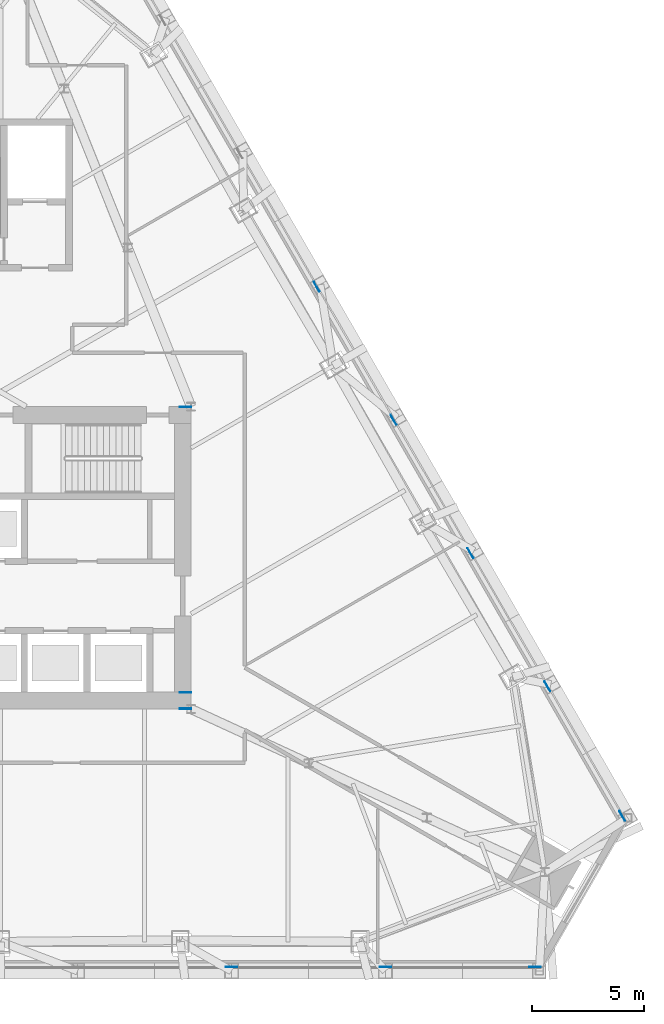
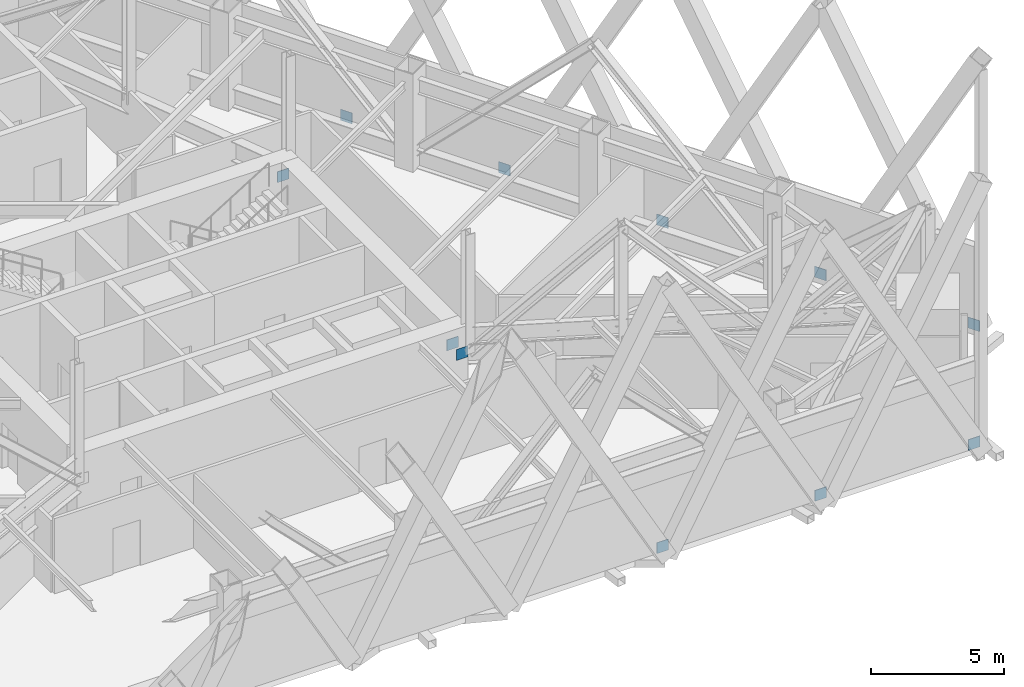
# One storey, part 13 of 16: 11 discrete accessories.
"""IFC4 building model written with IfcOpenShell, lengths in metres."""

from ifc_helpers import new_model, si_unit, direction, frame, origin, origin_2d, place, context, subcontext, project, spatial, rectangle, extrude, material, layer, layer_set, type_object, element, save


model = new_model("IFC4")

# Units and contexts
model_context = context("Model", 3, precision=1e-05, world=origin(), true_north=direction((0.0, 1.0)))
body_context = subcontext(model_context, "Body", "Model", "MODEL_VIEW")
ifc_project = project(units=[si_unit("LENGTHUNIT", "METRE"), si_unit("AREAUNIT", "SQUARE_METRE"), si_unit("VOLUMEUNIT", "CUBIC_METRE"), si_unit("PLANEANGLEUNIT", "RADIAN"), si_unit("MASSUNIT", "GRAM", prefix="KILO")], contexts=[model_context])

# Site, building, storey
site_placement = place(None, origin())
site = spatial("IfcSite", under=ifc_project, at=site_placement, CompositionType="ELEMENT")
building_placement = place(site_placement, origin())
building = spatial("IfcBuilding", under=site, at=building_placement, Name="Firuza Gate Tower and Library", CompositionType="ELEMENT")
storey_placement = place(building_placement, frame((0.0, 0.0, 247.60009765625)))
storey = spatial("IfcBuildingStorey", under=building, at=storey_placement, Name="L58", CompositionType="ELEMENT", Elevation=247.60009765625)

# Discrete accessories
ifc_material = material(Name="Steel S355", Category="steel")
ifc_layer = layer(ifc_material, 0.02490234375)
ifc_layer_set = layer_set([ifc_layer], Name="Cast-in anchor plate 500x500x25 Steel S355")
discrete_accessory_type = type_object("IfcDiscreteAccessoryType", Name="Cast-in anchor plate 500x500x25 Steel S355", PredefinedType="BRACKET", material=ifc_layer_set)
for number, where, z_axis, x_axis, name in (
    (1, (85.30712890625, 56.730224609375, 0.0), (0.0, 0.0, 1.0), (1.0, 0.0, 0.0), "Cast-in anchor plate"),
    (2, (92.178466796875, 56.730224609375, 0.0), (0.0, 0.0, 1.0), (1.0, 0.0, 0.0), "Cast-in anchor plate"),
    (3, (98.85205078125, 56.730224609375, 0.0), (0.0, 0.0, 1.0), (1.0, 0.0, 0.0), "Cast-in anchor plate"),
    (4, (102.748046875, 63.478515625, 0.0), (0.0, 0.0, 1.0), (-0.499999984885, 0.866025412511, 0.0), "Cast-in anchor plate"),
    (5, (99.411376953125, 69.2578125, 0.0), (0.0, 0.0, 1.0), (-0.499999984885, 0.866025412511, 0.0), "Cast-in anchor plate"),
    (6, (95.9755859375, 75.20849609375, 0.0), (0.0, 0.0, 1.0), (-0.499999984885, 0.866025412511, 0.0), "Cast-in anchor plate"),
    (7, (92.539794921875, 81.159423828125, 0.0), (0.0, 0.0, 1.0), (-0.499999984885, 0.866025412511, 0.0), "Cast-in anchor plate"),
    (8, (89.104248046875, 87.1103515625, 0.0), (0.0, 0.0, 1.0), (-0.499999984885, 0.866025412511, 0.0), "Cast-in anchor plate"),
    (9, (83.25, 81.737548828125, 2.60595703125), (0.0, 0.0, 1.0), (1.0, 0.0, 0.0), "Cast-in anchor plate"),
    (10, (83.25, 68.262451171875, 2.60595703125), (0.0, 0.0, 1.0), (1.0, 0.0, 0.0), "Cast-in anchor plate"),
    (11, (83.25, 68.987548828125, 2.60595703125), (0.0, 0.0, 1.0), (1.0, 0.0, 0.0), "Cast-in anchor plate"),
):
    element("IfcDiscreteAccessory", number, at=place(storey_placement, frame(where, z_axis=z_axis, x_axis=x_axis)), inside=storey, type_object=discrete_accessory_type, Name=name, PredefinedType="BRACKET", context=body_context, shape_type="SweptSolid", body=[
        extrude(rectangle(XDim=0.5, YDim=0.02490234375, at=origin_2d()), origin(), (0.0, 0.0, 1.0), 0.5),
    ])

save(model, "model.ifc")
